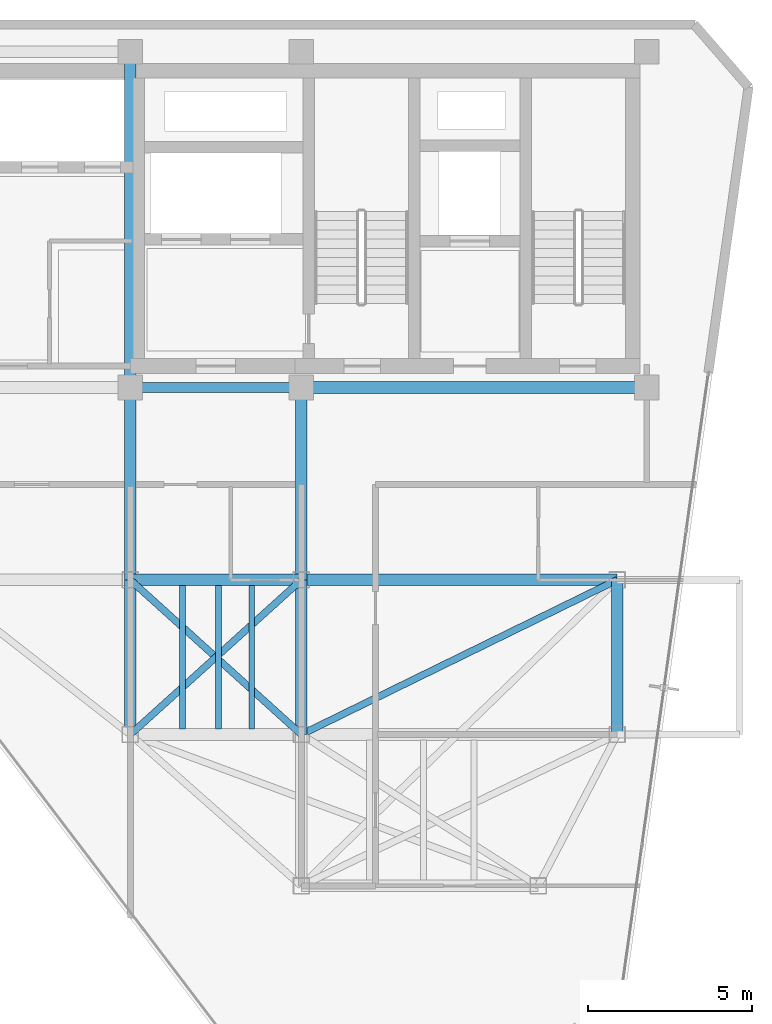
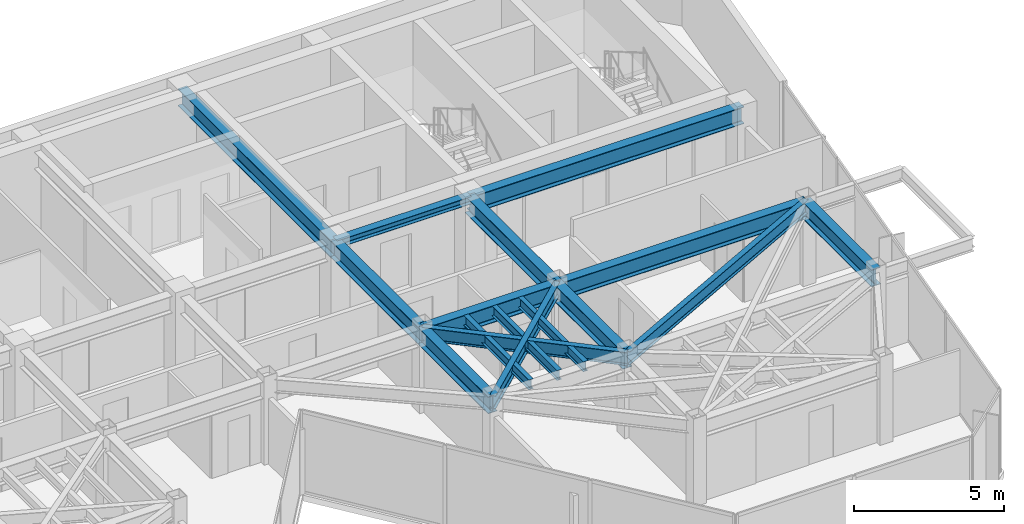
# One storey, part 13 of 21: 16 beams.
"""IFC4 building model written with IfcOpenShell, lengths in metres."""

from ifc_helpers import new_model, si_unit, direction, frame, origin, origin_2d, place, context, subcontext, project, spatial, i_section, extrude, material, material_profile, profile_set, type_object, element, save


model = new_model("IFC4")

# Units and contexts
model_context = context("Model", 3, precision=1e-05, world=origin(), true_north=direction((0.0, 1.0)))
body_context = subcontext(model_context, "Body", "Model", "MODEL_VIEW")
ifc_project = project(units=[si_unit("LENGTHUNIT", "METRE"), si_unit("AREAUNIT", "SQUARE_METRE"), si_unit("VOLUMEUNIT", "CUBIC_METRE"), si_unit("PLANEANGLEUNIT", "RADIAN"), si_unit("MASSUNIT", "GRAM", prefix="KILO")], contexts=[model_context])

# Site, building, storey
site_placement = place(None, origin())
site = spatial("IfcSite", under=ifc_project, at=site_placement, CompositionType="ELEMENT")
building_placement = place(site_placement, origin())
building = spatial("IfcBuilding", under=site, at=building_placement, Name="Kravanh Interchange Tower", CompositionType="ELEMENT")
storey_placement = place(building_placement, frame((0.0, 0.0, 231.0)))
storey = spatial("IfcBuildingStorey", under=building, at=storey_placement, Name="L55", CompositionType="ELEMENT", Elevation=231.0)

# Beams
ifc_material_1 = material(Name="Structural Steel S355", Category="steel")
ifc_material_profile_1 = material_profile(ifc_material_1, i_section(OverallWidth=0.35498046875, OverallDepth=0.696044921875, WebThickness=0.015380859375, FlangeThickness=0.02490234375, FilletRadius=0.02392578125, at=origin_2d()), Name="W27X146")
ifc_profile_set_1 = profile_set([ifc_material_profile_1], Name="Structural Steel S355")
beam_type_1 = type_object("IfcBeamType", Name="Floor Beam W27X146 Structural Steel S355", PredefinedType="BEAM", material=ifc_profile_set_1)
beam_1_placement = place(storey_placement, frame((50.800048828125, 31.5, 3.011962890625), z_axis=(0.0, -1.0, 0.0), x_axis=(1.0, 0.0, 0.0)))
element("IfcBeam", 1, at=beam_1_placement, inside=storey, type_object=beam_type_1, Name="L55 Primary Floor Girder 5", PredefinedType="BEAM", context=body_context, shape_type="SweptSolid", body=[
    extrude(i_section(OverallWidth=0.35498046875, OverallDepth=0.696044921875, WebThickness=0.015380859375, FlangeThickness=0.02490234375, FilletRadius=0.02392578125, at=origin_2d()), origin(), (0.0, 0.0, 1.0), 4.699951171875),
])
beam_2_placement = place(storey_placement, frame((50.800048828125, 31.5, 3.011962890625), z_axis=(1.0, 0.0, 0.0), x_axis=(0.0, 1.0, 0.0)))
element("IfcBeam", 2, at=beam_2_placement, inside=storey, type_object=beam_type_1, Name="L55 Primary Floor Girder 6", PredefinedType="BEAM", context=body_context, shape_type="SweptSolid", body=[
    extrude(i_section(OverallWidth=0.35498046875, OverallDepth=0.696044921875, WebThickness=0.015380859375, FlangeThickness=0.02490234375, FilletRadius=0.02392578125, at=origin_2d()), origin(), (0.0, 0.0, 1.0), 5.199951171875),
])
beam_3_placement = place(storey_placement, frame((50.800048828125, 31.5, 3.011962890625), z_axis=(0.0, 1.0, 0.0), x_axis=(-1.0, 0.0, 0.0)))
element("IfcBeam", 3, at=beam_3_placement, inside=storey, type_object=beam_type_1, Name="L55 Primary Floor Girder 7", PredefinedType="BEAM", context=body_context, shape_type="SweptSolid", body=[
    extrude(i_section(OverallWidth=0.35498046875, OverallDepth=0.696044921875, WebThickness=0.015380859375, FlangeThickness=0.02490234375, FilletRadius=0.02392578125, at=origin_2d()), origin(), (0.0, 0.0, 1.0), 5.85009765625),
])
beam_4_placement = place(storey_placement, frame((56.0, 31.5, 3.011962890625), z_axis=(0.0, -1.0, 0.0), x_axis=(1.0, 0.0, 0.0)))
element("IfcBeam", 4, at=beam_4_placement, inside=storey, type_object=beam_type_1, Name="L55 Primary Floor Girder 9", PredefinedType="BEAM", context=body_context, shape_type="SweptSolid", body=[
    extrude(i_section(OverallWidth=0.35498046875, OverallDepth=0.696044921875, WebThickness=0.015380859375, FlangeThickness=0.02490234375, FilletRadius=0.02392578125, at=origin_2d()), origin(), (0.0, 0.0, 1.0), 4.699951171875),
])
beam_5_placement = place(storey_placement, frame((56.0, 31.5, 3.011962890625), z_axis=(0.0, 1.0, 0.0), x_axis=(-1.0, 0.0, 0.0)))
element("IfcBeam", 5, at=beam_5_placement, inside=storey, type_object=beam_type_1, Name="L55 Primary Floor Girder 10", PredefinedType="BEAM", context=body_context, shape_type="SweptSolid", body=[
    extrude(i_section(OverallWidth=0.35498046875, OverallDepth=0.696044921875, WebThickness=0.015380859375, FlangeThickness=0.02490234375, FilletRadius=0.02392578125, at=origin_2d()), origin(), (0.0, 0.0, 1.0), 5.85009765625),
])
beam_6_placement = place(storey_placement, frame((56.0, 31.5, 3.011962890625), z_axis=(1.0, 0.0, 0.0), x_axis=(0.0, 1.0, 0.0)))
element("IfcBeam", 6, at=beam_6_placement, inside=storey, type_object=beam_type_1, Name="L55 Primary Floor Girder 12", PredefinedType="BEAM", context=body_context, shape_type="SweptSolid", body=[
    extrude(i_section(OverallWidth=0.35498046875, OverallDepth=0.696044921875, WebThickness=0.015380859375, FlangeThickness=0.02490234375, FilletRadius=0.02392578125, at=origin_2d()), origin(), (0.0, 0.0, 1.0), 9.60009765625),
])
beam_7_placement = place(storey_placement, frame((65.60009765625, 31.5, 3.011962890625), z_axis=(0.0, -1.0, 0.0), x_axis=(1.0, 0.0, 0.0)))
element("IfcBeam", 7, at=beam_7_placement, inside=storey, type_object=beam_type_1, Name="L55 Primary Floor Girder 13", PredefinedType="BEAM", context=body_context, shape_type="SweptSolid", body=[
    extrude(i_section(OverallWidth=0.35498046875, OverallDepth=0.696044921875, WebThickness=0.015380859375, FlangeThickness=0.02490234375, FilletRadius=0.02392578125, at=origin_2d()), origin(), (0.0, 0.0, 1.0), 4.699951171875),
])
beam_8_placement = place(storey_placement, frame((66.5, 37.35009765625, 3.011962890625), z_axis=(-1.0, 0.0, 0.0), x_axis=(0.0, -1.0, 0.0)))
element("IfcBeam", 8, at=beam_8_placement, inside=storey, type_object=beam_type_1, Name="L55 Primary Floor Girder 47", PredefinedType="BEAM", context=body_context, shape_type="SweptSolid", body=[
    extrude(i_section(OverallWidth=0.35498046875, OverallDepth=0.696044921875, WebThickness=0.015380859375, FlangeThickness=0.02490234375, FilletRadius=0.02392578125, at=origin_2d()), origin(), (0.0, 0.0, 1.0), 10.5),
])
beam_9_placement = place(storey_placement, frame((50.800048828125, 47.550048828125, 3.011962890625), z_axis=(0.0, -1.0, 0.0), x_axis=(1.0, 0.0, 0.0)))
element("IfcBeam", 9, at=beam_9_placement, inside=storey, type_object=beam_type_1, Name="L55 Primary Floor Girder 50", PredefinedType="BEAM", context=body_context, shape_type="SweptSolid", body=[
    extrude(i_section(OverallWidth=0.35498046875, OverallDepth=0.696044921875, WebThickness=0.015380859375, FlangeThickness=0.02490234375, FilletRadius=0.02392578125, at=origin_2d()), origin(), (0.0, 0.0, 1.0), 10.199951171875),
])
ifc_material_2 = material(Name="Structural Steel S355", Category="steel")
ifc_material_profile_2 = material_profile(ifc_material_2, i_section(OverallWidth=0.177978515625, OverallDepth=0.406005859375, WebThickness=0.0078125, FlangeThickness=0.0126953125, FilletRadius=0.01611328125, at=origin_2d()), Name="W16X40")
ifc_profile_set_2 = profile_set([ifc_material_profile_2], Name="Structural Steel S355")
beam_type_2 = type_object("IfcBeamType", Name="Floor Joist W16X40 Structural Steel S355", PredefinedType="JOIST", material=ifc_profile_set_2)
for number, where, z_axis, x_axis, name in (
    (10, (52.385986328125, 26.972412109375, 3.156982421875), (0.0, 1.0, 0.0), (-1.0, 0.0, 0.0), "L55 Secondary Floor Joist 10"),
    (11, (53.47802734375, 26.972412109375, 3.156982421875), (0.0, 1.0, 0.0), (-1.0, 0.0, 0.0), "L55 Secondary Floor Joist 11"),
    (12, (54.491943359375, 26.972412109375, 3.156982421875), (0.0, 1.0, 0.0), (-1.0, 0.0, 0.0), "L55 Secondary Floor Joist 12"),
):
    element("IfcBeam", number, at=place(storey_placement, frame(where, z_axis=z_axis, x_axis=x_axis)), inside=storey, type_object=beam_type_2, Name=name, PredefinedType="JOIST", context=body_context, shape_type="SweptSolid", body=[
        extrude(i_section(OverallWidth=0.177978515625, OverallDepth=0.406005859375, WebThickness=0.0078125, FlangeThickness=0.0126953125, FilletRadius=0.01611328125, at=origin_2d()), origin(), (0.0, 0.0, 1.0), 4.35498046875),
    ])
ifc_material_3 = material(Name="Structural Steel S355", Category="steel")
ifc_material_profile_3 = material_profile(ifc_material_3, i_section(OverallWidth=0.304931640625, OverallDepth=0.306884765625, WebThickness=0.010009765625, FlangeThickness=0.015380859375, FilletRadius=0.014892578125, at=origin_2d()), Name="W12X65")
ifc_profile_set_3 = profile_set([ifc_material_profile_3], Name="Structural Steel S355")
beam_type_3 = type_object("IfcBeamType", Name="Floor Lintel W12X65 Structural Steel S355", PredefinedType="LINTEL", material=ifc_profile_set_3)
beam_10_placement = place(storey_placement, frame((50.800048828125, 37.35009765625, 3.20654296875), z_axis=(1.0, 0.0, 0.0), x_axis=(0.0, 1.0, 0.0)))
element("IfcBeam", 13, at=beam_10_placement, inside=storey, type_object=beam_type_3, Name="L55 Core Coupling Lintel 1", PredefinedType="LINTEL", context=body_context, shape_type="SweptSolid", body=[
    extrude(i_section(OverallWidth=0.304931640625, OverallDepth=0.306884765625, WebThickness=0.010009765625, FlangeThickness=0.015380859375, FilletRadius=0.014892578125, at=origin_2d()), origin(), (0.0, 0.0, 1.0), 5.199951171875),
])
ifc_material_4 = material(Name="Structural Steel S355", Category="steel")
ifc_material_profile_4 = material_profile(ifc_material_4, i_section(OverallWidth=0.2099609375, OverallDepth=0.537109375, WebThickness=0.010986328125, FlangeThickness=0.017333984375, FilletRadius=0.02001953125, at=origin_2d()), Name="W21X68")
ifc_profile_set_4 = profile_set([ifc_material_profile_4], Name="Structural Steel S355")
beam_type_4 = type_object("IfcBeamType", Name="Floor Spandrel W21X68 Structural Steel S355", PredefinedType="SPANDREL", material=ifc_profile_set_4)
for number, where, z_axis, x_axis, name in (
    (14, (50.800048828125, 31.5, 3.091552734375), (0.741874009795, -0.670539300557, 0.0), (0.670539300557, 0.741874009795, 0.0), "L55 Perimeter Spandrel 8"),
    (15, (56.0, 31.5, 3.091552734375), (-0.741874009795, -0.670539300557, 0.0), (0.670539300557, -0.741874009795, 0.0), "L55 Perimeter Spandrel 11"),
):
    element("IfcBeam", number, at=place(storey_placement, frame(where, z_axis=z_axis, x_axis=x_axis)), inside=storey, type_object=beam_type_4, Name=name, PredefinedType="SPANDREL", context=body_context, shape_type="SweptSolid", body=[
        extrude(i_section(OverallWidth=0.2099609375, OverallDepth=0.537109375, WebThickness=0.010986328125, FlangeThickness=0.017333984375, FilletRadius=0.02001953125, at=origin_2d()), origin(), (0.0, 0.0, 1.0), 7.00927734375),
    ])
beam_11_placement = place(storey_placement, frame((65.60009765625, 31.5, 3.091552734375), z_axis=(-0.898141688387, -0.439706160499, 0.0), x_axis=(0.439706160499, -0.898141688387, 0.0)))
element("IfcBeam", 16, at=beam_11_placement, inside=storey, type_object=beam_type_4, Name="L55 Perimeter Spandrel 15", PredefinedType="SPANDREL", context=body_context, shape_type="SweptSolid", body=[
    extrude(i_section(OverallWidth=0.2099609375, OverallDepth=0.537109375, WebThickness=0.010986328125, FlangeThickness=0.017333984375, FilletRadius=0.02001953125, at=origin_2d()), origin(), (0.0, 0.0, 1.0), 10.68896484375),
])

save(model, "model.ifc")
